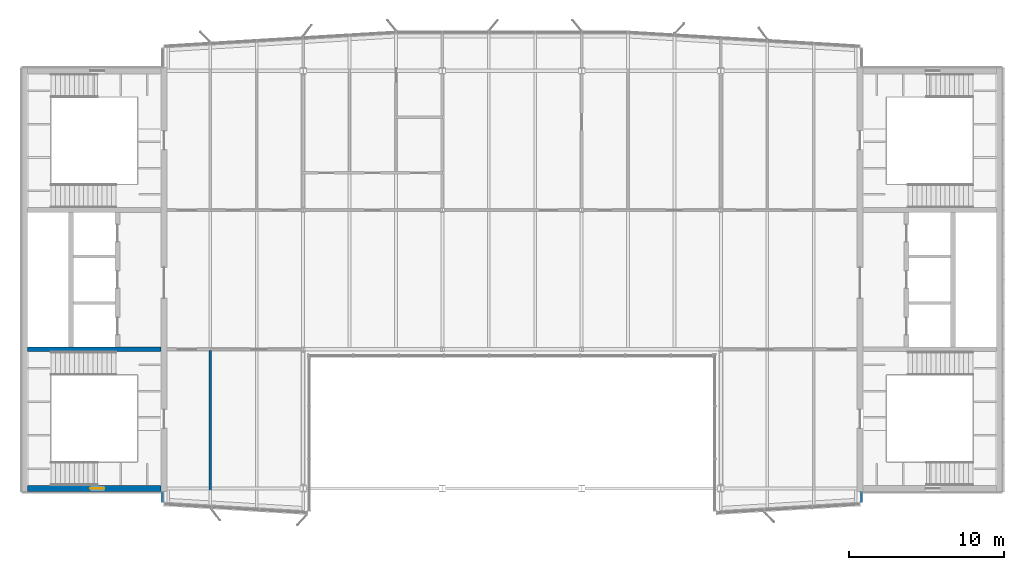
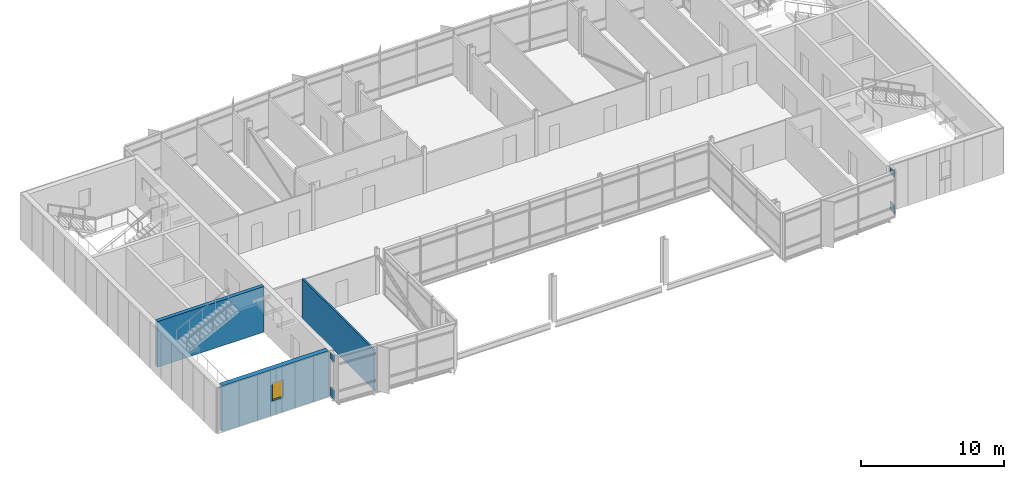
# One storey, part 14 of 20: 4 plates, 3 walls, 1 window, 1 opening, 2 elements without a shape of their own.
"""IFC4 building model written with IfcOpenShell, lengths in metres."""

from ifc_helpers import new_model, si_unit, direction, frame, frame_2d, origin, origin_2d, place, context, subcontext, project, spatial, rectangle, extrude, material, layer, layer_set, type_object, element, fill, aggregate, save


model = new_model("IFC4")

# Units and contexts
model_context = context("Model", 3, precision=1e-05, world=origin(), true_north=direction((0.0, 1.0)))
body_context = subcontext(model_context, "Body", "Model", "MODEL_VIEW")
ifc_project = project(units=[si_unit("LENGTHUNIT", "METRE"), si_unit("AREAUNIT", "SQUARE_METRE"), si_unit("VOLUMEUNIT", "CUBIC_METRE"), si_unit("PLANEANGLEUNIT", "RADIAN"), si_unit("MASSUNIT", "GRAM", prefix="KILO")], contexts=[model_context])

# Site, building, storey
site_placement = place(None, origin())
site = spatial("IfcSite", under=ifc_project, at=site_placement, CompositionType="ELEMENT")
building_placement = place(site_placement, origin())
building = spatial("IfcBuilding", under=site, at=building_placement, Name="Azimuth Sports and Learning Centre", CompositionType="ELEMENT")
storey_placement = place(building_placement, frame((0.0, 0.0, 71.39990234375)))
storey = spatial("IfcBuildingStorey", under=building, at=storey_placement, Name="L16", CompositionType="ELEMENT", Elevation=71.39990234375)

# Curtain wall, plates
ifc_material_1 = material(Name="Aluminium and glass", Category="aluminium")
curtain_wall_type = type_object("IfcCurtainWallType", Name="Curtain wall tower return 180", PredefinedType="NOTDEFINED", material=ifc_material_1)
curtain_wall_1_placement = place(storey_placement, origin())
curtain_wall_1 = element("IfcCurtainWall", 1, at=curtain_wall_1_placement, inside=storey, type_object=curtain_wall_type, Name="Curtain wall CW16-001", PredefinedType="NOTDEFINED")
ifc_material_2 = material(Name="Insulated aluminium panel", Category="aluminium")
ifc_layer_1 = layer(ifc_material_2, 0.050048828125)
ifc_layer_set_1 = layer_set([ifc_layer_1], Name="Insulated aluminium panel")
plate_type = type_object("IfcPlateType", Name="Spandrel panel 50 mm", PredefinedType="CURTAIN_PANEL", material=ifc_layer_set_1)
plate_1_placement = place(storey_placement, frame((62.909912109375, 89.449951171875, 0.10009765625), z_axis=(0.0, 0.0, 1.0), x_axis=(0.0, -1.0, 0.0)))
plate_1 = element("IfcPlate", 2, at=plate_1_placement, type_object=plate_type, Name="CW16-001 panel 1.1", PredefinedType="CURTAIN_PANEL", context=body_context, shape_type="SweptSolid", body=[
    extrude(rectangle(XDim=0.580078125, YDim=0.050048828125, at=origin_2d()), origin(), (0.0, 0.0, 1.0), 0.75),
])
plate_2_placement = place(storey_placement, frame((62.909912109375, 89.449951171875, 3.25), z_axis=(0.0, 0.0, 1.0), x_axis=(0.0, -1.0, 0.0)))
plate_2 = element("IfcPlate", 3, at=plate_2_placement, type_object=plate_type, Name="CW16-001 panel 1.3", PredefinedType="CURTAIN_PANEL", context=body_context, shape_type="SweptSolid", body=[
    extrude(rectangle(XDim=0.580078125, YDim=0.050048828125, at=origin_2d()), origin(), (0.0, 0.0, 1.0), 0.550048828125),
])
aggregate(curtain_wall_1, [plate_1, plate_2])

curtain_wall_2_placement = place(storey_placement, origin())
curtain_wall_2 = element("IfcCurtainWall", 4, at=curtain_wall_2_placement, inside=storey, type_object=curtain_wall_type, Name="Curtain wall CW16-007", PredefinedType="NOTDEFINED")
plate_3_placement = place(storey_placement, frame((108.090087890625, 89.449951171875, 0.10009765625), z_axis=(0.0, 0.0, 1.0), x_axis=(0.0, 1.0, 0.0)))
plate_3 = element("IfcPlate", 5, at=plate_3_placement, type_object=plate_type, Name="CW16-007 panel 1.1", PredefinedType="CURTAIN_PANEL", context=body_context, shape_type="SweptSolid", body=[
    extrude(rectangle(XDim=0.580078125, YDim=0.050048828125, at=origin_2d()), origin(), (0.0, 0.0, 1.0), 0.75),
])
plate_4_placement = place(storey_placement, frame((108.090087890625, 89.449951171875, 3.25), z_axis=(0.0, 0.0, 1.0), x_axis=(0.0, 1.0, 0.0)))
plate_4 = element("IfcPlate", 6, at=plate_4_placement, type_object=plate_type, Name="CW16-007 panel 1.3", PredefinedType="CURTAIN_PANEL", context=body_context, shape_type="SweptSolid", body=[
    extrude(rectangle(XDim=0.580078125, YDim=0.050048828125, at=origin_2d()), origin(), (0.0, 0.0, 1.0), 0.550048828125),
])
aggregate(curtain_wall_2, [plate_3, plate_4])

# Walls
ifc_material_3 = material(Name="Lightweight blockwork, rendered", Category="masonry")
ifc_layer_2 = layer(ifc_material_3, 0.14990234375)
ifc_layer_set_2 = layer_set([ifc_layer_2], Name="Lightweight blockwork, rendered")
wall_type_1 = type_object("IfcWallType", Name="Partition 150 EI 60", PredefinedType="PARTITIONING", material=ifc_layer_set_2)
wall_1_placement = place(storey_placement, frame((66.0, 88.919921875, 0.0), z_axis=(0.0, 0.0, 1.0), x_axis=(0.0, 1.0, 0.0)))
element("IfcWall", 7, at=wall_1_placement, inside=storey, type_object=wall_type_1, Name="Partition Stair Lobby W1 16.01 / Research Seminar Room 16.07", PredefinedType="PARTITIONING", context=body_context, shape_type="SweptSolid", body=[
    extrude(rectangle(XDim=10.005126953125, YDim=0.14990234375, at=frame_2d((5.00244140625, 0.0))), origin(), (0.0, 0.0, 1.0), 3.41015625),
])
ifc_material_4 = material(Name="Concrete C40/50", Category="concrete")
ifc_layer_3 = layer(ifc_material_4, 0.300048828125)
ifc_layer_set_3 = layer_set([ifc_layer_3], Name="Concrete C40/50")
wall_type_2 = type_object("IfcWallType", Name="RC core wall 300", PredefinedType="SHEAR", material=ifc_layer_set_3)
wall_2_placement = place(storey_placement, frame((54.199951171875, 99.0, 0.0), z_axis=(0.0, 0.0, 1.0), x_axis=(1.0, 0.0, 0.0)))
element("IfcWall", 8, at=wall_2_placement, inside=storey, type_object=wall_type_2, Name="Core wall W D1 L16", PredefinedType="SHEAR", context=body_context, shape_type="SweptSolid", body=[
    extrude(rectangle(XDim=8.60009765625, YDim=0.300048828125, at=frame_2d((4.300048828125, 0.0))), origin(), (0.0, 0.0, 1.0), 3.900146484375),
])

# Wall, opening, window
ifc_material_5 = material(Name="Concrete C40/50", Category="concrete")
ifc_layer_4 = layer(ifc_material_5, 0.39990234375)
ifc_layer_set_4 = layer_set([ifc_layer_4], Name="Concrete C40/50")
wall_type_3 = type_object("IfcWallType", Name="RC external core wall 400", PredefinedType="SHEAR", material=ifc_layer_set_4)
wall_3_placement = place(storey_placement, frame((54.199951171875, 90.0, 0.0), z_axis=(0.0, 0.0, 1.0), x_axis=(1.0, 0.0, 0.0)))
wall_3 = element("IfcWall", 9, at=wall_3_placement, inside=storey, type_object=wall_type_3, Name="Core wall W S L16", PredefinedType="SHEAR", context=body_context, shape_type="SweptSolid", body=[
    extrude(rectangle(XDim=8.60009765625, YDim=0.39990234375, at=frame_2d((4.300048828125, 0.0))), origin(), (0.0, 0.0, 1.0), 3.900146484375),
])
opening_placement = place(wall_3_placement, frame((4.050048828125, 0.0, 1.199951171875)))
opening = element("IfcOpeningElement", 10, at=opening_placement, cuts=wall_3, Name="Opening W16-001", PredefinedType="OPENING", context=body_context, shape_type="SweptSolid", body=[
    extrude(rectangle(XDim=0.89990234375, YDim=1.5, at=frame_2d((0.449951171875, 0.75))), frame((0.0, 0.2109375, 0.0), z_axis=(0.0, -1.0, 0.0), x_axis=(1.0, 0.0, 0.0)), (0.0, 0.0, 1.0), 0.421875),
])
ifc_material_6 = material(Name="Aluminium and glass", Category="aluminium")
window_type = type_object("IfcWindowType", Name="Stair window tower core 900x1500", PartitioningType="SINGLE_PANEL", PredefinedType="WINDOW", material=ifc_material_6)
window_placement = place(opening_placement, origin())
window = element("IfcWindow", 11, at=window_placement, inside=storey, type_object=window_type, Name="Window W16-001", OverallHeight=1.5, OverallWidth=0.89990234375, PartitioningType="SINGLE_PANEL", PredefinedType="WINDOW", context=body_context, shape_type="SweptSolid", body=[
    extrude(rectangle(XDim=0.89990234375, YDim=1.5, at=frame_2d((0.449951171875, 0.75))), frame((0.0, 0.030029296875, 0.0), z_axis=(0.0, -1.0, 0.0), x_axis=(1.0, 0.0, 0.0)), (0.0, 0.0, 1.0), 0.06005859375),
])
fill(opening, window)

save(model, "model.ifc")
